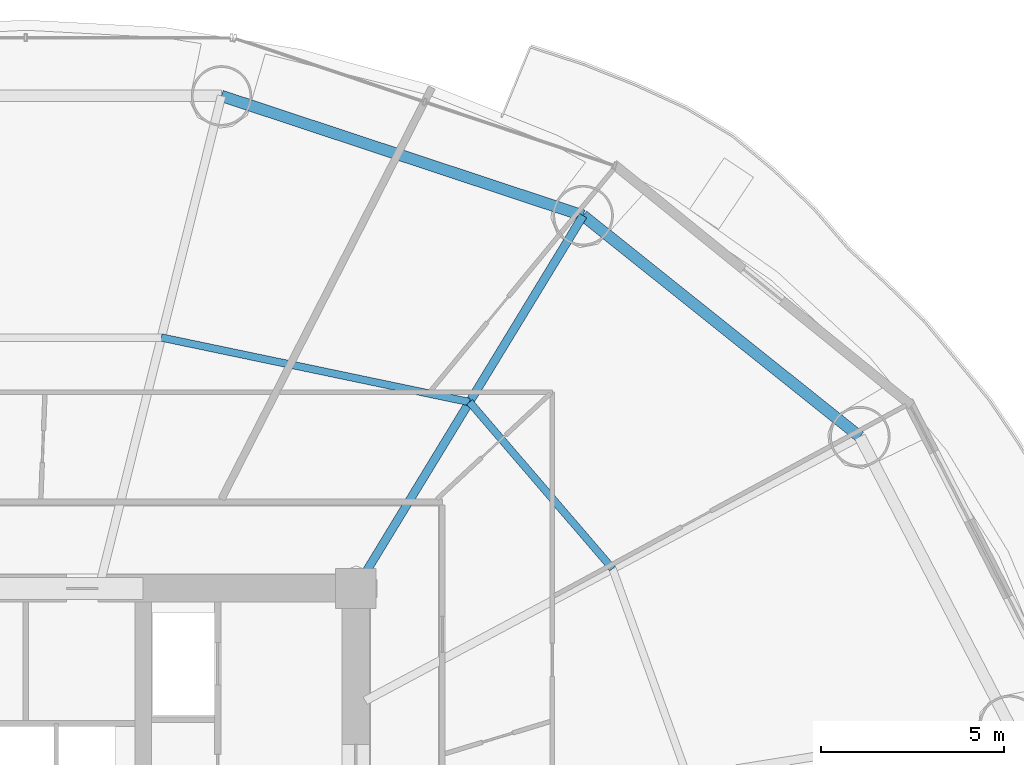
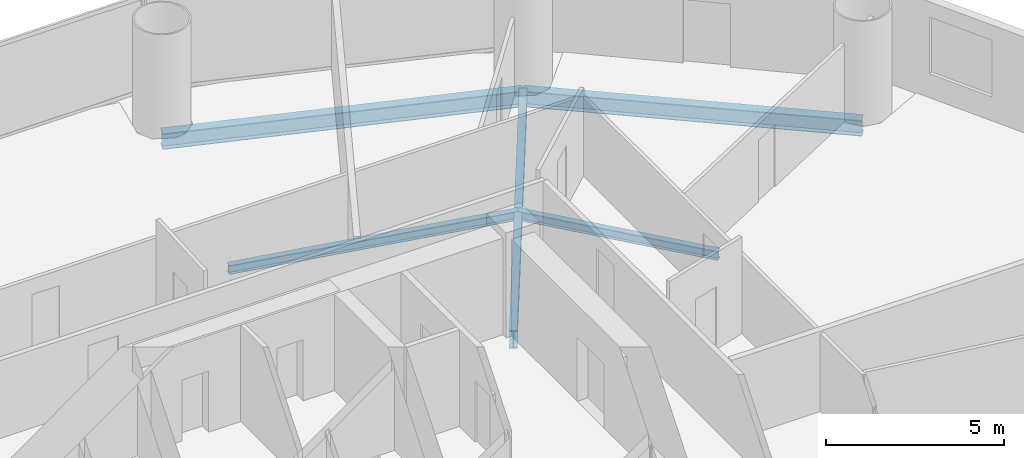
# One storey, part 19 of 29: 5 beams.
"""IFC4 building model written with IfcOpenShell, lengths in metres."""

from ifc_helpers import new_model, si_unit, direction, frame, origin, origin_2d, place, context, subcontext, project, spatial, i_section, extrude, material, material_profile, profile_set, type_object, element, save


model = new_model("IFC4")

# Units and contexts
model_context = context("Model", 3, precision=1e-05, world=origin(), true_north=direction((-0.2419218956, 0.970295726276)))
body_context = subcontext(model_context, "Body", "Model", "MODEL_VIEW")
ifc_project = project(units=[si_unit("LENGTHUNIT", "METRE"), si_unit("AREAUNIT", "SQUARE_METRE"), si_unit("VOLUMEUNIT", "CUBIC_METRE"), si_unit("PLANEANGLEUNIT", "RADIAN"), si_unit("MASSUNIT", "GRAM", prefix="KILO")], contexts=[model_context])

# Site, building, storey
site_placement = place(None, origin())
site = spatial("IfcSite", under=ifc_project, at=site_placement, CompositionType="ELEMENT")
building_placement = place(site_placement, origin())
building = spatial("IfcBuilding", under=site, at=building_placement, Name="Cobrevalo Terracotta Tower", CompositionType="ELEMENT")
storey_placement = place(building_placement, frame((0.0, 0.0, 67.199951171875)))
storey = spatial("IfcBuildingStorey", under=building, at=storey_placement, Name="L17", CompositionType="ELEMENT", Elevation=67.199951171875)

# Beams
ifc_material = material(Name="Steel S355", Category="steel")
ifc_material_profile_1 = material_profile(ifc_material, i_section(OverallWidth=0.22998046875, OverallDepth=0.616943359375, WebThickness=0.01318359375, FlangeThickness=0.022216796875, at=origin_2d()), Name="W 610x140")
ifc_profile_set_1 = profile_set([ifc_material_profile_1], Name="Steel S355")
beam_type_1 = type_object("IfcBeamType", Name="Structural Beam W 610x140 (Steel S355)", PredefinedType="BEAM", material=ifc_profile_set_1)
beam_1_placement = place(storey_placement, frame((53.19482421875, 44.967529296875, -0.58837890625), z_axis=(-0.520309892051, -0.853977526773, 0.0), x_axis=(0.853977526773, -0.520309892051, 0.0)))
element("IfcBeam", 1, at=beam_1_placement, inside=storey, type_object=beam_type_1, Name="L17 radial floor girder 03", PredefinedType="BEAM", context=body_context, shape_type="SweptSolid", body=[
    extrude(i_section(OverallWidth=0.22998046875, OverallDepth=0.616943359375, WebThickness=0.01318359375, FlangeThickness=0.022216796875, at=origin_2d()), origin(), (0.0, 0.0, 1.0), 11.906005859375),
])
ifc_material_profile_2 = material_profile(ifc_material, i_section(OverallWidth=0.2041015625, OverallDepth=0.305908203125, WebThickness=0.008544921875, FlangeThickness=0.0146484375, at=origin_2d()), Name="W 310x67")
ifc_profile_set_2 = profile_set([ifc_material_profile_2], Name="Steel S355")
beam_type_2 = type_object("IfcBeamType", Name="Structural Joist W 310x67 (Steel S355)", PredefinedType="JOIST", material=ifc_profile_set_2)
beam_2_placement = place(storey_placement, frame((53.997802734375, 35.33984375, -0.432861328125), z_axis=(-0.651328404454, 0.758795960421, 0.0), x_axis=(-0.758795960421, -0.651328404454, 0.0)))
element("IfcBeam", 2, at=beam_2_placement, inside=storey, type_object=beam_type_2, Name="L17 circumferential secondary floor joist 02", PredefinedType="JOIST", context=body_context, shape_type="SweptSolid", body=[
    extrude(i_section(OverallWidth=0.2041015625, OverallDepth=0.305908203125, WebThickness=0.008544921875, FlangeThickness=0.0146484375, at=origin_2d()), origin(), (0.0, 0.0, 1.0), 5.98828125),
])
beam_3_placement = place(storey_placement, frame((50.097412109375, 39.8837890625, -0.432861328125), z_axis=(-0.978784523904, 0.204892302848, 0.0), x_axis=(-0.204892302848, -0.978784523904, 0.0)))
element("IfcBeam", 3, at=beam_3_placement, inside=storey, type_object=beam_type_2, Name="L17 circumferential secondary floor joist 03", PredefinedType="JOIST", context=body_context, shape_type="SweptSolid", body=[
    extrude(i_section(OverallWidth=0.2041015625, OverallDepth=0.305908203125, WebThickness=0.008544921875, FlangeThickness=0.0146484375, at=origin_2d()), origin(), (0.0, 0.0, 1.0), 8.583984375),
])
ifc_material_profile_3 = material_profile(ifc_material, i_section(OverallWidth=0.31201171875, OverallDepth=0.54296875, WebThickness=0.0126953125, FlangeThickness=0.020263671875, at=origin_2d()), Name="W 530x150")
ifc_profile_set_3 = profile_set([ifc_material_profile_3], Name="Steel S355")
beam_type_3 = type_object("IfcBeamType", Name="Structural Spandrel W 530x150 (Steel S355)", PredefinedType="SPANDREL", material=ifc_profile_set_3)
beam_4_placement = place(storey_placement, frame((60.74072265625, 38.939208984375, -0.551513671875), z_axis=(-0.781292806807, 0.62416468182, 0.0), x_axis=(-0.62416468182, -0.781292806807, 0.0)))
element("IfcBeam", 4, at=beam_4_placement, inside=storey, type_object=beam_type_3, Name="L17 perimeter ring spandrel 02", PredefinedType="SPANDREL", context=body_context, shape_type="SweptSolid", body=[
    extrude(i_section(OverallWidth=0.31201171875, OverallDepth=0.54296875, WebThickness=0.0126953125, FlangeThickness=0.020263671875, at=origin_2d()), origin(), (0.0, 0.0, 1.0), 9.658203125),
])
beam_5_placement = place(storey_placement, frame((53.19482421875, 44.967529296875, -0.551513671875), z_axis=(-0.949365190876, 0.314174687638, 0.0), x_axis=(-0.314174687638, -0.949365190876, 0.0)))
element("IfcBeam", 5, at=beam_5_placement, inside=storey, type_object=beam_type_3, Name="L17 perimeter ring spandrel 03", PredefinedType="SPANDREL", context=body_context, shape_type="SweptSolid", body=[
    extrude(i_section(OverallWidth=0.31201171875, OverallDepth=0.54296875, WebThickness=0.0126953125, FlangeThickness=0.020263671875, at=origin_2d()), origin(), (0.0, 0.0, 1.0), 10.385009765625),
])

save(model, "model.ifc")
